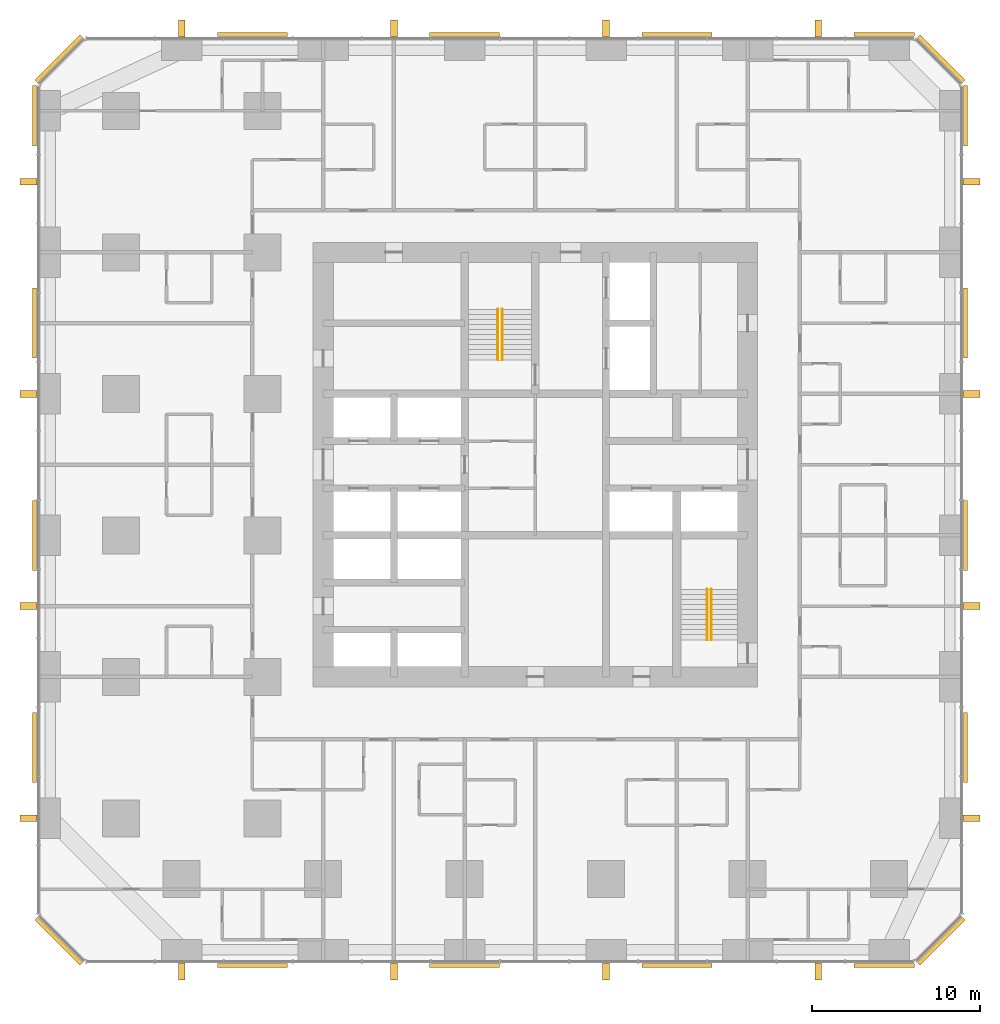
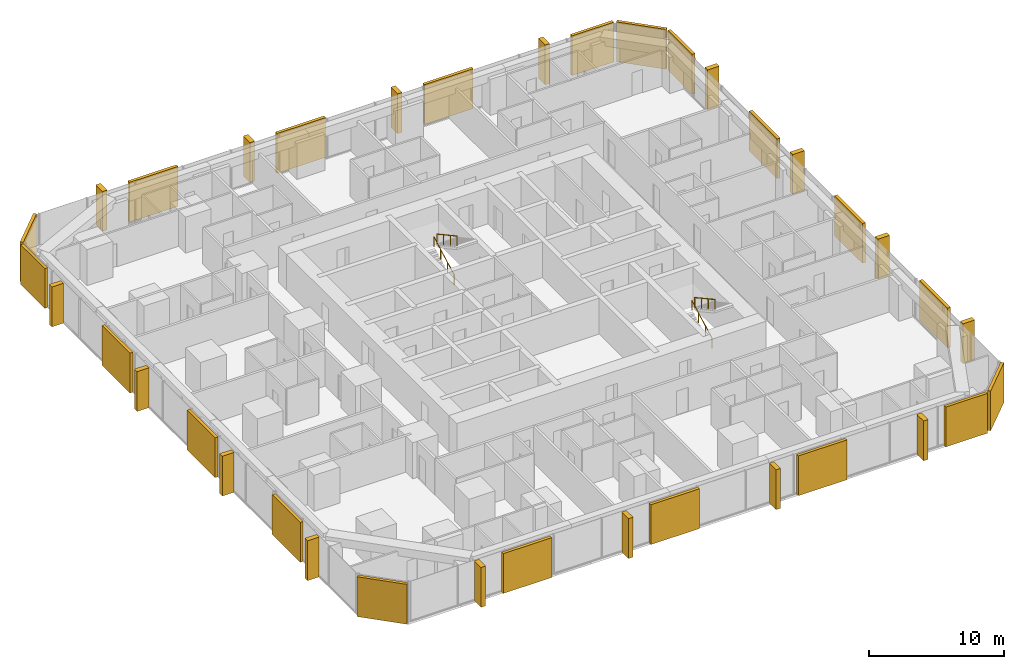
# One storey, part 13 of 13: 20 coverings, 16 shading devices, 4 railings.
"""IFC4 building model written with IfcOpenShell, lengths in metres."""

from ifc_helpers import new_model, si_unit, direction, frame, origin, origin_2d, place, context, subcontext, project, spatial, rectangle, circle, extrude, material, layer, layer_set, type_object, element, save


model = new_model("IFC4")

# Units and contexts
model_context = context("Model", 3, precision=1e-05, world=origin(), true_north=direction((0.0, 1.0)))
body_context = subcontext(model_context, "Body", "Model", "MODEL_VIEW")
ifc_project = project(units=[si_unit("LENGTHUNIT", "METRE"), si_unit("AREAUNIT", "SQUARE_METRE"), si_unit("VOLUMEUNIT", "CUBIC_METRE"), si_unit("PLANEANGLEUNIT", "RADIAN"), si_unit("MASSUNIT", "GRAM", prefix="KILO")], contexts=[model_context])

# Site, building, storey
site_placement = place(None, origin())
site = spatial("IfcSite", under=ifc_project, at=site_placement, CompositionType="ELEMENT")
building_placement = place(site_placement, origin())
building = spatial("IfcBuilding", under=site, at=building_placement, Name="Dunama Terrace Hotel", CompositionType="ELEMENT")
storey_placement = place(building_placement, frame((0.0, 0.0, 144.0)))
storey = spatial("IfcBuildingStorey", under=building, at=storey_placement, Name="L37", CompositionType="ELEMENT", Elevation=144.0)

# Railings
ifc_material_1 = material(Name="Stainless steel handrail", Category="steel")
railing_type = type_object("IfcRailingType", Name="Stair handrail 900", PredefinedType="HANDRAIL", material=ifc_material_1)
railing_1_placement = place(storey_placement, frame((27.175048828125, 35.625, 0.16357421875)))
element("IfcRailing", 1, at=railing_1_placement, inside=storey, type_object=railing_type, Name="Handrail ST1 L37", PredefinedType="HANDRAIL", context=body_context, shape_type="SweptSolid", body=[
    extrude(circle(Radius=0.02392578125, at=origin_2d()), frame((0.0, 0.0, 0.8759765625), z_axis=(0.0, 0.877881921179, 0.478877158013), x_axis=(-1.0, 0.0, 0.0)), (0.0, 0.0, 1.0), 3.417236328125),
    extrude(circle(Radius=0.02099609375, at=origin_2d()), origin(), (0.0, 0.0, 1.0), 0.851806640625),
    extrude(circle(Radius=0.02099609375, at=origin_2d()), frame((0.0, 1.0, 0.54541015625)), (0.0, 0.0, 1.0), 0.851806640625),
    extrude(circle(Radius=0.02099609375, at=origin_2d()), frame((0.0, 2.0, 1.091064453125)), (0.0, 0.0, 1.0), 0.851806640625),
    extrude(circle(Radius=0.02099609375, at=origin_2d()), frame((0.0, 3.0, 1.636474609375)), (0.0, 0.0, 1.0), 0.851806640625),
])
railing_2_placement = place(storey_placement, frame((27.425048828125, 38.625, 1.963623046875)))
element("IfcRailing", 2, at=railing_2_placement, inside=storey, type_object=railing_type, Name="Handrail ST1 L37", PredefinedType="HANDRAIL", context=body_context, shape_type="SweptSolid", body=[
    extrude(circle(Radius=0.02392578125, at=origin_2d()), frame((0.0, 0.0, 0.8759765625), z_axis=(0.0, -0.877881921179, 0.478877158013), x_axis=(1.0, 0.0, 0.0)), (0.0, 0.0, 1.0), 3.417236328125),
    extrude(circle(Radius=0.02099609375, at=origin_2d()), origin(), (0.0, 0.0, 1.0), 0.851806640625),
    extrude(circle(Radius=0.02099609375, at=origin_2d()), frame((0.0, -1.0, 0.54541015625)), (0.0, 0.0, 1.0), 0.851806640625),
    extrude(circle(Radius=0.02099609375, at=origin_2d()), frame((0.0, -2.0, 1.091064453125)), (0.0, 0.0, 1.0), 0.851806640625),
    extrude(circle(Radius=0.02099609375, at=origin_2d()), frame((0.0, -3.0, 1.636474609375)), (0.0, 0.0, 1.0), 0.851806640625),
])
railing_3_placement = place(storey_placement, frame((39.60009765625, 19.0, 0.16357421875)))
element("IfcRailing", 3, at=railing_3_placement, inside=storey, type_object=railing_type, Name="Handrail ST2 L37", PredefinedType="HANDRAIL", context=body_context, shape_type="SweptSolid", body=[
    extrude(circle(Radius=0.02392578125, at=origin_2d()), frame((0.0, 0.0, 0.8759765625), z_axis=(0.0, 0.877881921179, 0.478877158013), x_axis=(-1.0, 0.0, 0.0)), (0.0, 0.0, 1.0), 3.417236328125),
    extrude(circle(Radius=0.02099609375, at=origin_2d()), origin(), (0.0, 0.0, 1.0), 0.851806640625),
    extrude(circle(Radius=0.02099609375, at=origin_2d()), frame((0.0, 1.0, 0.54541015625)), (0.0, 0.0, 1.0), 0.851806640625),
    extrude(circle(Radius=0.02099609375, at=origin_2d()), frame((0.0, 2.0, 1.091064453125)), (0.0, 0.0, 1.0), 0.851806640625),
    extrude(circle(Radius=0.02099609375, at=origin_2d()), frame((0.0, 3.0, 1.636474609375)), (0.0, 0.0, 1.0), 0.851806640625),
])
railing_4_placement = place(storey_placement, frame((39.85009765625, 22.0, 1.963623046875)))
element("IfcRailing", 4, at=railing_4_placement, inside=storey, type_object=railing_type, Name="Handrail ST2 L37", PredefinedType="HANDRAIL", context=body_context, shape_type="SweptSolid", body=[
    extrude(circle(Radius=0.02392578125, at=origin_2d()), frame((0.0, 0.0, 0.8759765625), z_axis=(0.0, -0.877881921179, 0.478877158013), x_axis=(1.0, 0.0, 0.0)), (0.0, 0.0, 1.0), 3.417236328125),
    extrude(circle(Radius=0.02099609375, at=origin_2d()), origin(), (0.0, 0.0, 1.0), 0.851806640625),
    extrude(circle(Radius=0.02099609375, at=origin_2d()), frame((0.0, -1.0, 0.54541015625)), (0.0, 0.0, 1.0), 0.851806640625),
    extrude(circle(Radius=0.02099609375, at=origin_2d()), frame((0.0, -2.0, 1.091064453125)), (0.0, 0.0, 1.0), 0.851806640625),
    extrude(circle(Radius=0.02099609375, at=origin_2d()), frame((0.0, -3.0, 1.636474609375)), (0.0, 0.0, 1.0), 0.851806640625),
])

# Coverings
ifc_material_2 = material(Name="Warm reconstituted stone panel", Category="masonry")
ifc_layer_1 = layer(ifc_material_2, 0.25)
ifc_layer_set_1 = layer_set([ifc_layer_1], Name="Stone diagonal panel")
covering_type = type_object("IfcCoveringType", Name="Stone diagonal panel", PredefinedType="CLADDING", material=ifc_layer_set_1)
for number, where, z_axis, x_axis, name in (
    (5, (12.60009765625, -0.343017578125, 0.001953125), (0.0, 0.0, 1.0), (1.0, 0.0, 0.0), "Stone diagonal panel L37"),
    (6, (25.199951171875, -0.343017578125, 0.001953125), (0.0, 0.0, 1.0), (1.0, 0.0, 0.0), "Stone diagonal panel L37"),
    (7, (37.800048828125, -0.343017578125, 0.001953125), (0.0, 0.0, 1.0), (1.0, 0.0, 0.0), "Stone diagonal panel L37"),
):
    element("IfcCovering", number, at=place(storey_placement, frame(where, z_axis=z_axis, x_axis=x_axis)), inside=storey, type_object=covering_type, Name=name, PredefinedType="CLADDING", context=body_context, shape_type="SweptSolid", body=[
        extrude(rectangle(XDim=4.14990234375, YDim=0.25, at=origin_2d()), origin(), (0.0, 0.0, 1.0), 3.595947265625),
    ])
covering_1_placement = place(storey_placement, frame((50.110107421875, -0.343017578125, 0.001953125), z_axis=(0.0, 0.0, 1.0), x_axis=(1.0, 0.0, 0.0)))
element("IfcCovering", 8, at=covering_1_placement, inside=storey, type_object=covering_type, Name="Stone diagonal panel L37", PredefinedType="CLADDING", context=body_context, shape_type="SweptSolid", body=[
    extrude(rectangle(XDim=3.570068359375, YDim=0.25, at=origin_2d()), origin(), (0.0, 0.0, 1.0), 3.595947265625),
])
covering_2_placement = place(storey_placement, frame((53.492919921875, 1.10693359375, 0.001953125), z_axis=(0.0, 0.0, 1.0), x_axis=(0.707106781187, 0.707106781187, 0.0)))
element("IfcCovering", 9, at=covering_2_placement, inside=storey, type_object=covering_type, Name="Stone diagonal panel L37", PredefinedType="CLADDING", context=body_context, shape_type="SweptSolid", body=[
    extrude(rectangle(XDim=3.808349609375, YDim=0.25, at=origin_2d()), origin(), (0.0, 0.0, 1.0), 3.595947265625),
])
for number, where, z_axis, x_axis, name in (
    (10, (54.943115234375, 12.60009765625, 0.001953125), (0.0, 0.0, 1.0), (0.0, 1.0, 0.0), "Stone diagonal panel L37"),
    (11, (54.943115234375, 25.199951171875, 0.001953125), (0.0, 0.0, 1.0), (0.0, 1.0, 0.0), "Stone diagonal panel L37"),
    (12, (54.943115234375, 37.800048828125, 0.001953125), (0.0, 0.0, 1.0), (0.0, 1.0, 0.0), "Stone diagonal panel L37"),
):
    element("IfcCovering", number, at=place(storey_placement, frame(where, z_axis=z_axis, x_axis=x_axis)), inside=storey, type_object=covering_type, Name=name, PredefinedType="CLADDING", context=body_context, shape_type="SweptSolid", body=[
        extrude(rectangle(XDim=4.14990234375, YDim=0.25, at=origin_2d()), origin(), (0.0, 0.0, 1.0), 3.595947265625),
    ])
covering_3_placement = place(storey_placement, frame((54.943115234375, 50.110107421875, 0.001953125), z_axis=(0.0, 0.0, 1.0), x_axis=(0.0, 1.0, 0.0)))
element("IfcCovering", 13, at=covering_3_placement, inside=storey, type_object=covering_type, Name="Stone diagonal panel L37", PredefinedType="CLADDING", context=body_context, shape_type="SweptSolid", body=[
    extrude(rectangle(XDim=3.570068359375, YDim=0.25, at=origin_2d()), origin(), (0.0, 0.0, 1.0), 3.595947265625),
])
covering_4_placement = place(storey_placement, frame((53.492919921875, 53.492919921875, 0.001953125), z_axis=(0.0, 0.0, 1.0), x_axis=(-0.707106781187, 0.707106781187, 0.0)))
element("IfcCovering", 14, at=covering_4_placement, inside=storey, type_object=covering_type, Name="Stone diagonal panel L37", PredefinedType="CLADDING", context=body_context, shape_type="SweptSolid", body=[
    extrude(rectangle(XDim=3.808349609375, YDim=0.25, at=origin_2d()), origin(), (0.0, 0.0, 1.0), 3.595947265625),
])
covering_5_placement = place(storey_placement, frame((50.110107421875, 54.943115234375, 0.001953125), z_axis=(0.0, 0.0, 1.0), x_axis=(-1.0, 0.0, 0.0)))
element("IfcCovering", 15, at=covering_5_placement, inside=storey, type_object=covering_type, Name="Stone diagonal panel L37", PredefinedType="CLADDING", context=body_context, shape_type="SweptSolid", body=[
    extrude(rectangle(XDim=3.570068359375, YDim=0.25, at=origin_2d()), origin(), (0.0, 0.0, 1.0), 3.595947265625),
])
for number, where, z_axis, x_axis, name in (
    (16, (37.800048828125, 54.943115234375, 0.001953125), (0.0, 0.0, 1.0), (-1.0, 0.0, 0.0), "Stone diagonal panel L37"),
    (17, (25.199951171875, 54.943115234375, 0.001953125), (0.0, 0.0, 1.0), (-1.0, 0.0, 0.0), "Stone diagonal panel L37"),
    (18, (12.60009765625, 54.943115234375, 0.001953125), (0.0, 0.0, 1.0), (-1.0, 0.0, 0.0), "Stone diagonal panel L37"),
):
    element("IfcCovering", number, at=place(storey_placement, frame(where, z_axis=z_axis, x_axis=x_axis)), inside=storey, type_object=covering_type, Name=name, PredefinedType="CLADDING", context=body_context, shape_type="SweptSolid", body=[
        extrude(rectangle(XDim=4.14990234375, YDim=0.25, at=origin_2d()), origin(), (0.0, 0.0, 1.0), 3.595947265625),
    ])
covering_6_placement = place(storey_placement, frame((1.10693359375, 53.492919921875, 0.001953125), z_axis=(0.0, 0.0, 1.0), x_axis=(-0.707106781187, -0.707106781187, 0.0)))
element("IfcCovering", 19, at=covering_6_placement, inside=storey, type_object=covering_type, Name="Stone diagonal panel L37", PredefinedType="CLADDING", context=body_context, shape_type="SweptSolid", body=[
    extrude(rectangle(XDim=3.808349609375, YDim=0.25, at=origin_2d()), origin(), (0.0, 0.0, 1.0), 3.595947265625),
])
covering_7_placement = place(storey_placement, frame((-0.343017578125, 50.110107421875, 0.001953125), z_axis=(0.0, 0.0, 1.0), x_axis=(0.0, -1.0, 0.0)))
element("IfcCovering", 20, at=covering_7_placement, inside=storey, type_object=covering_type, Name="Stone diagonal panel L37", PredefinedType="CLADDING", context=body_context, shape_type="SweptSolid", body=[
    extrude(rectangle(XDim=3.570068359375, YDim=0.25, at=origin_2d()), origin(), (0.0, 0.0, 1.0), 3.595947265625),
])
for number, where, z_axis, x_axis, name in (
    (21, (-0.343017578125, 37.800048828125, 0.001953125), (0.0, 0.0, 1.0), (0.0, -1.0, 0.0), "Stone diagonal panel L37"),
    (22, (-0.343017578125, 25.199951171875, 0.001953125), (0.0, 0.0, 1.0), (0.0, -1.0, 0.0), "Stone diagonal panel L37"),
    (23, (-0.343017578125, 12.60009765625, 0.001953125), (0.0, 0.0, 1.0), (0.0, -1.0, 0.0), "Stone diagonal panel L37"),
):
    element("IfcCovering", number, at=place(storey_placement, frame(where, z_axis=z_axis, x_axis=x_axis)), inside=storey, type_object=covering_type, Name=name, PredefinedType="CLADDING", context=body_context, shape_type="SweptSolid", body=[
        extrude(rectangle(XDim=4.14990234375, YDim=0.25, at=origin_2d()), origin(), (0.0, 0.0, 1.0), 3.595947265625),
    ])
covering_8_placement = place(storey_placement, frame((1.10693359375, 1.10693359375, 0.001953125), z_axis=(0.0, 0.0, 1.0), x_axis=(0.707106781187, -0.707106781187, 0.0)))
element("IfcCovering", 24, at=covering_8_placement, inside=storey, type_object=covering_type, Name="Stone diagonal panel L37", PredefinedType="CLADDING", context=body_context, shape_type="SweptSolid", body=[
    extrude(rectangle(XDim=3.808349609375, YDim=0.25, at=origin_2d()), origin(), (0.0, 0.0, 1.0), 3.595947265625),
])

# Shading devices
ifc_material_3 = material(Name="Warm reconstituted stone fin", Category="masonry")
ifc_layer_2 = layer(ifc_material_3, 0.39990234375)
ifc_layer_set_2 = layer_set([ifc_layer_2], Name="Warm stone fin 400x1000")
shading_device_type = type_object("IfcShadingDeviceType", Name="Warm stone fin 400x1000", PredefinedType="USERDEFINED", material=ifc_layer_set_2)
for number, where, z_axis, x_axis, name in (
    (25, (8.39990234375, -0.697998046875, 0.0), (0.0, 0.0, 1.0), (1.0, 0.0, 0.0), "Stone fin"),
    (26, (21.0, -0.697998046875, 0.0), (0.0, 0.0, 1.0), (1.0, 0.0, 0.0), "Stone fin"),
    (27, (33.60009765625, -0.697998046875, 0.0), (0.0, 0.0, 1.0), (1.0, 0.0, 0.0), "Stone fin"),
    (28, (46.199951171875, -0.697998046875, 0.0), (0.0, 0.0, 1.0), (1.0, 0.0, 0.0), "Stone fin"),
    (29, (55.298095703125, 8.39990234375, 0.0), (0.0, 0.0, 1.0), (0.0, 1.0, 0.0), "Stone fin"),
    (30, (55.298095703125, 21.0, 0.0), (0.0, 0.0, 1.0), (0.0, 1.0, 0.0), "Stone fin"),
    (31, (55.298095703125, 33.60009765625, 0.0), (0.0, 0.0, 1.0), (0.0, 1.0, 0.0), "Stone fin"),
    (32, (55.298095703125, 46.199951171875, 0.0), (0.0, 0.0, 1.0), (0.0, 1.0, 0.0), "Stone fin"),
    (33, (46.199951171875, 55.298095703125, 0.0), (0.0, 0.0, 1.0), (-1.0, 0.0, 0.0), "Stone fin"),
    (34, (33.60009765625, 55.298095703125, 0.0), (0.0, 0.0, 1.0), (-1.0, 0.0, 0.0), "Stone fin"),
    (35, (21.0, 55.298095703125, 0.0), (0.0, 0.0, 1.0), (-1.0, 0.0, 0.0), "Stone fin"),
    (36, (8.39990234375, 55.298095703125, 0.0), (0.0, 0.0, 1.0), (-1.0, 0.0, 0.0), "Stone fin"),
    (37, (-0.697998046875, 46.199951171875, 0.0), (0.0, 0.0, 1.0), (0.0, -1.0, 0.0), "Stone fin"),
    (38, (-0.697998046875, 33.60009765625, 0.0), (0.0, 0.0, 1.0), (0.0, -1.0, 0.0), "Stone fin"),
    (39, (-0.697998046875, 21.0, 0.0), (0.0, 0.0, 1.0), (0.0, -1.0, 0.0), "Stone fin"),
    (40, (-0.697998046875, 8.39990234375, 0.0), (0.0, 0.0, 1.0), (0.0, -1.0, 0.0), "Stone fin"),
):
    element("IfcShadingDevice", number, at=place(storey_placement, frame(where, z_axis=z_axis, x_axis=x_axis)), inside=storey, type_object=shading_device_type, Name=name, ObjectType="FIN", PredefinedType="USERDEFINED", context=body_context, shape_type="SweptSolid", body=[
        extrude(rectangle(XDim=0.39990234375, YDim=1.0, at=origin_2d()), origin(), (0.0, 0.0, 1.0), 3.60009765625),
    ])

save(model, "model.ifc")
